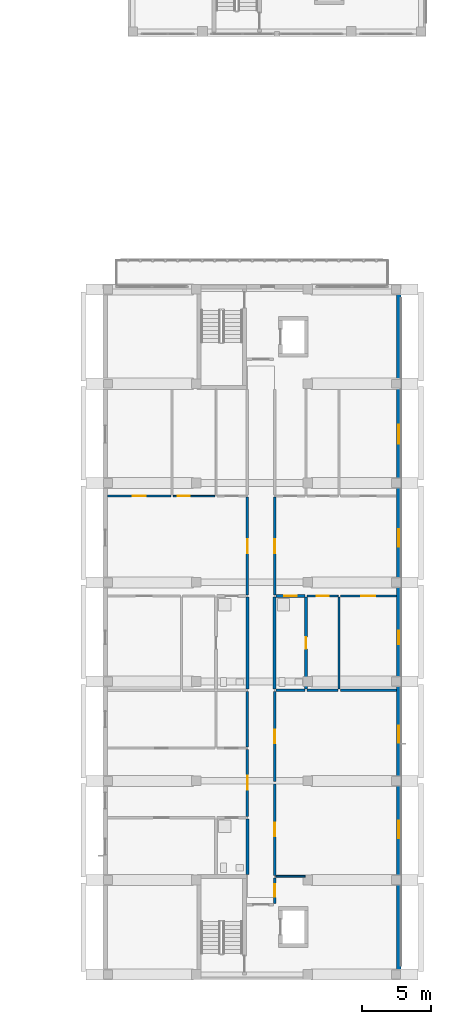
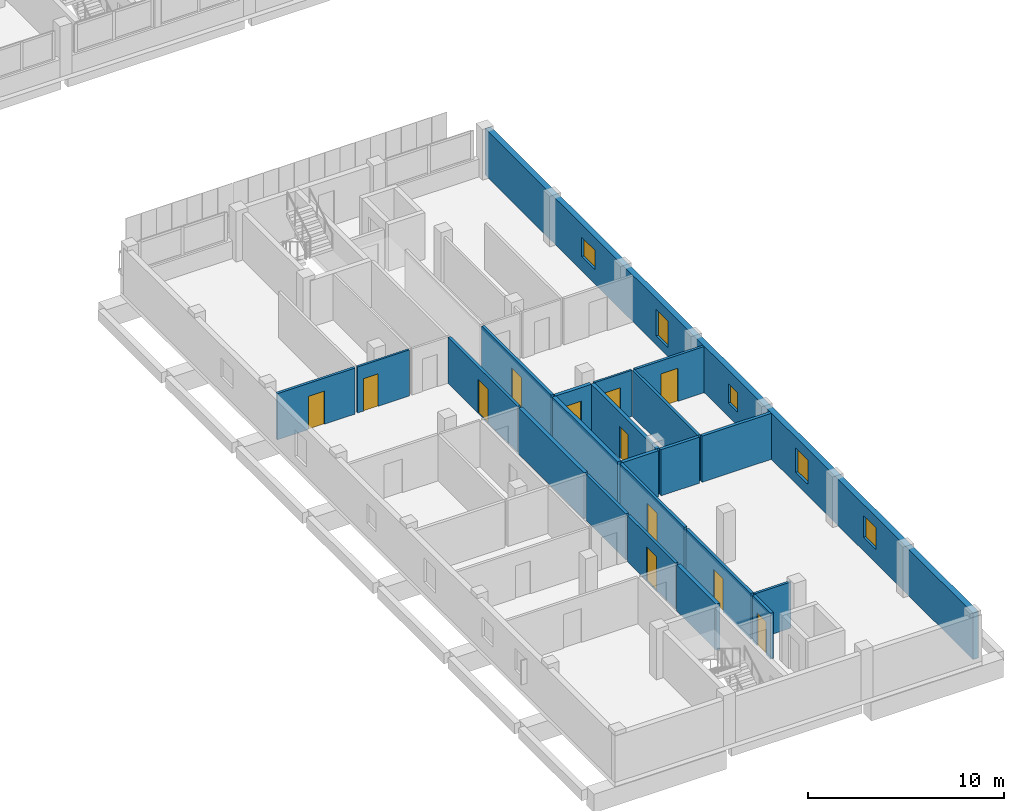
# One storey, part 32 of 51: 22 walls, 12 doors, 5 windows, 17 openings.
"""IFC4 building model written with IfcOpenShell, lengths in metres."""

from ifc_helpers import new_model, si_unit, derived_unit, direction, frame, frame_2d, origin, place, context, subcontext, project, spatial, rectangle, extrude, material, layer, layer_set, type_object, element, fill, save


model = new_model("IFC4")

# Units and contexts
model_context = context("Model", 3, precision=1e-05, world=origin(), true_north=direction((0.0, 1.0)))
body_context = subcontext(model_context, "Body", "Model", "MODEL_VIEW")
ifc_project = project(units=[si_unit("LENGTHUNIT", "METRE"), si_unit("AREAUNIT", "SQUARE_METRE"), si_unit("VOLUMEUNIT", "CUBIC_METRE"), si_unit("PLANEANGLEUNIT", "RADIAN"), si_unit("MASSUNIT", "GRAM", prefix="KILO"), derived_unit("THERMALTRANSMITTANCEUNIT", [(si_unit("MASSUNIT", "GRAM", prefix="KILO"), 1), (si_unit("TIMEUNIT", "SECOND"), -3), (si_unit("THERMODYNAMICTEMPERATUREUNIT", "KELVIN"), -1)])], contexts=[model_context])

# Site, building, storey
site_placement = place(None, origin())
site = spatial("IfcSite", under=ifc_project, at=site_placement, CompositionType="ELEMENT")
building_placement = place(site_placement, origin())
building = spatial("IfcBuilding", under=site, at=building_placement, Name="Ochrekiln Boulevard Commons", CompositionType="ELEMENT")
storey_placement = place(building_placement, frame((0.0, 0.0, 18.375)))
storey = spatial("IfcBuildingStorey", under=building, at=storey_placement, Name="L05", CompositionType="ELEMENT", Elevation=18.375)

# Wall, openings, windows
ifc_material_1 = material(Name="Desert ochre clinker brick masonry ASTM C216 Grade SW", Category="masonry")
ifc_layer_1 = layer(ifc_material_1, 0.330078125)
ifc_layer_set_1 = layer_set([ifc_layer_1], Name="Desert ochre clinker brick masonry ASTM C216 Grade SW")
wall_type_1 = type_object("IfcWallType", Name="WL-EXT-OCHRE-330", PredefinedType="SOLIDWALL", material=ifc_layer_set_1)
wall_1_placement = place(storey_placement, frame((170.8349609375, 0.330078125, 0.0), z_axis=(0.0, 0.0, 1.0), x_axis=(0.0, 1.0, 0.0)))
wall_1 = element("IfcWall", 1, at=wall_1_placement, inside=storey, type_object=wall_type_1, Name="Block C L05 E Exterior Wall", PredefinedType="SOLIDWALL", context=body_context, shape_type="SweptSolid", body=[
    extrude(rectangle(XDim=49.739990234375, YDim=0.330078125, at=frame_2d((24.8701171875, 0.0))), origin(), (0.0, 0.0, 1.0), 2.889892578125),
])
opening_1_placement = place(wall_1_placement, frame((9.909912109375, 0.0, 0.85498046875)))
opening_1 = element("IfcOpeningElement", 2, at=opening_1_placement, cuts=wall_1, Name="Opening W-17", PredefinedType="OPENING", context=body_context, shape_type="SweptSolid", body=[
    extrude(rectangle(XDim=1.25, YDim=1.35009765625, at=frame_2d((0.625, 0.675048828125))), frame((0.0, 0.175048828125, 0.0), z_axis=(0.0, -1.0, 0.0), x_axis=(1.0, 0.0, 0.0)), (0.0, 0.0, 1.0), 0.35009765625),
])
opening_2_placement = place(wall_1_placement, frame((16.822998046875, 0.0, 0.705078125)))
opening_2 = element("IfcOpeningElement", 3, at=opening_2_placement, cuts=wall_1, Name="Opening W-18", PredefinedType="OPENING", context=body_context, shape_type="SweptSolid", body=[
    extrude(rectangle(XDim=1.25, YDim=1.5, at=frame_2d((0.625, 0.75))), frame((0.0, 0.175048828125, 0.0), z_axis=(0.0, -1.0, 0.0), x_axis=(1.0, 0.0, 0.0)), (0.0, 0.0, 1.0), 0.35009765625),
])
opening_3_placement = place(wall_1_placement, frame((31.06494140625, 0.0, 0.554931640625)))
opening_3 = element("IfcOpeningElement", 4, at=opening_3_placement, cuts=wall_1, Name="Opening W-19", PredefinedType="OPENING", context=body_context, shape_type="SweptSolid", body=[
    extrude(rectangle(XDim=1.25, YDim=1.64990234375, at=frame_2d((0.625, 0.824951171875))), frame((0.0, 0.175048828125, 0.0), z_axis=(0.0, -1.0, 0.0), x_axis=(1.0, 0.0, 0.0)), (0.0, 0.0, 1.0), 0.35009765625),
])
opening_4_placement = place(wall_1_placement, frame((23.991943359375, 0.0, 0.85009765625)))
opening_4 = element("IfcOpeningElement", 5, at=opening_4_placement, cuts=wall_1, Name="Opening W-01", PredefinedType="OPENING", context=body_context, shape_type="SweptSolid", body=[
    extrude(rectangle(XDim=0.949951171875, YDim=1.199951171875, at=frame_2d((0.47509765625, 0.60009765625))), frame((0.0, 0.175048828125, 0.0), z_axis=(0.0, -1.0, 0.0), x_axis=(1.0, 0.0, 0.0)), (0.0, 0.0, 1.0), 0.35009765625),
])
opening_5_placement = place(wall_1_placement, frame((38.530029296875, 0.0, 0.89990234375)))
opening_5 = element("IfcOpeningElement", 6, at=opening_5_placement, cuts=wall_1, Name="Opening W-21", PredefinedType="OPENING", context=body_context, shape_type="SweptSolid", body=[
    extrude(rectangle(XDim=1.35009765625, YDim=1.199951171875, at=frame_2d((0.675048828125, 0.60009765625))), frame((0.0, 0.175048828125, 0.0), z_axis=(0.0, -1.0, 0.0), x_axis=(1.0, 0.0, 0.0)), (0.0, 0.0, 1.0), 0.35009765625),
])
ifc_material_2 = material(Name="Thermally broken aluminium-clad oak frame", Category="aluminium")
window_type_1 = type_object("IfcWindowType", Name="WIN-EXT-01", PartitioningType="SINGLE_PANEL", PredefinedType="WINDOW", material=ifc_material_2)
window_1_placement = place(opening_4_placement, origin())
window_1 = element("IfcWindow", 7, at=window_1_placement, inside=storey, type_object=window_type_1, Name="Block C L05 Punched Masonry Window W-01", OverallHeight=1.199951171875, OverallWidth=0.949951171875, PartitioningType="SINGLE_PANEL", PredefinedType="WINDOW", context=body_context, shape_type="SweptSolid", body=[
    extrude(rectangle(XDim=0.949951171875, YDim=1.199951171875, at=frame_2d((0.47509765625, 0.60009765625))), frame((0.0, 0.030029296875, 0.0), z_axis=(0.0, -1.0, 0.0), x_axis=(1.0, 0.0, 0.0)), (0.0, 0.0, 1.0), 0.06005859375),
])
fill(opening_4, window_1)
window_type_2 = type_object("IfcWindowType", Name="WIN-EXT-17", PartitioningType="SINGLE_PANEL", PredefinedType="WINDOW", material=ifc_material_2)
window_2_placement = place(opening_1_placement, origin())
window_2 = element("IfcWindow", 8, at=window_2_placement, inside=storey, type_object=window_type_2, Name="Block C L05 Punched Masonry Window W-17", OverallHeight=1.35009765625, OverallWidth=1.25, PartitioningType="SINGLE_PANEL", PredefinedType="WINDOW", context=body_context, shape_type="SweptSolid", body=[
    extrude(rectangle(XDim=1.25, YDim=1.35009765625, at=frame_2d((0.625, 0.675048828125))), frame((0.0, 0.030029296875, 0.0), z_axis=(0.0, -1.0, 0.0), x_axis=(1.0, 0.0, 0.0)), (0.0, 0.0, 1.0), 0.06005859375),
])
fill(opening_1, window_2)
window_type_3 = type_object("IfcWindowType", Name="WIN-EXT-18", PartitioningType="SINGLE_PANEL", PredefinedType="WINDOW", material=ifc_material_2)
window_3_placement = place(opening_2_placement, origin())
window_3 = element("IfcWindow", 9, at=window_3_placement, inside=storey, type_object=window_type_3, Name="Block C L05 Punched Masonry Window W-18", OverallHeight=1.5, OverallWidth=1.25, PartitioningType="SINGLE_PANEL", PredefinedType="WINDOW", context=body_context, shape_type="SweptSolid", body=[
    extrude(rectangle(XDim=1.25, YDim=1.5, at=frame_2d((0.625, 0.75))), frame((0.0, 0.030029296875, 0.0), z_axis=(0.0, -1.0, 0.0), x_axis=(1.0, 0.0, 0.0)), (0.0, 0.0, 1.0), 0.06005859375),
])
fill(opening_2, window_3)
window_type_4 = type_object("IfcWindowType", Name="WIN-EXT-19", PartitioningType="SINGLE_PANEL", PredefinedType="WINDOW", material=ifc_material_2)
window_4_placement = place(opening_3_placement, origin())
window_4 = element("IfcWindow", 10, at=window_4_placement, inside=storey, type_object=window_type_4, Name="Block C L05 Punched Masonry Window W-19", OverallHeight=1.64990234375, OverallWidth=1.25, PartitioningType="SINGLE_PANEL", PredefinedType="WINDOW", context=body_context, shape_type="SweptSolid", body=[
    extrude(rectangle(XDim=1.25, YDim=1.64990234375, at=frame_2d((0.625, 0.824951171875))), frame((0.0, 0.030029296875, 0.0), z_axis=(0.0, -1.0, 0.0), x_axis=(1.0, 0.0, 0.0)), (0.0, 0.0, 1.0), 0.06005859375),
])
fill(opening_3, window_4)
window_type_5 = type_object("IfcWindowType", Name="WIN-EXT-21", PartitioningType="SINGLE_PANEL", PredefinedType="WINDOW", material=ifc_material_2)
window_5_placement = place(opening_5_placement, origin())
window_5 = element("IfcWindow", 11, at=window_5_placement, inside=storey, type_object=window_type_5, Name="Block C L05 Punched Masonry Window W-21", OverallHeight=1.199951171875, OverallWidth=1.35009765625, PartitioningType="SINGLE_PANEL", PredefinedType="WINDOW", context=body_context, shape_type="SweptSolid", body=[
    extrude(rectangle(XDim=1.35009765625, YDim=1.199951171875, at=frame_2d((0.675048828125, 0.60009765625))), frame((0.0, 0.030029296875, 0.0), z_axis=(0.0, -1.0, 0.0), x_axis=(1.0, 0.0, 0.0)), (0.0, 0.0, 1.0), 0.06005859375),
])
fill(opening_5, window_5)

# Wall
ifc_material_3 = material(Name="Moisture-resistant cementitious tile backer wall")
ifc_layer_2 = layer(ifc_material_3, 0.199951171875)
ifc_layer_set_2 = layer_set([ifc_layer_2], Name="Moisture-resistant cementitious tile backer wall")
wall_type_2 = type_object("IfcWallType", Name="WL-PLM-200", PredefinedType="PLUMBINGWALL", material=ifc_layer_set_2)
wall_2_placement = place(storey_placement, frame((161.923095703125, 20.97607421875, 0.0), z_axis=(0.0, 0.0, 1.0), x_axis=(1.0, 0.0, 0.0)))
element("IfcWall", 12, at=wall_2_placement, inside=storey, type_object=wall_type_2, Name="L05 Interior Wall W-PW200", PredefinedType="PLUMBINGWALL", context=body_context, shape_type="SweptSolid", body=[
    extrude(rectangle(XDim=2.10693359375, YDim=0.199951171875, at=frame_2d((1.053466796875, 0.0))), origin(), (0.0, 0.0, 1.0), 2.8701171875),
])

# Wall, opening, door
wall_3_placement = place(storey_placement, frame((161.923095703125, 27.803955078125, 0.0), z_axis=(0.0, 0.0, 1.0), x_axis=(1.0, 0.0, 0.0)))
wall_3 = element("IfcWall", 13, at=wall_3_placement, inside=storey, type_object=wall_type_2, Name="L05 Interior Wall W-PW200", PredefinedType="PLUMBINGWALL", context=body_context, shape_type="SweptSolid", body=[
    extrude(rectangle(XDim=2.10693359375, YDim=0.199951171875, at=frame_2d((1.053466796875, 0.0))), origin(), (0.0, 0.0, 1.0), 2.8701171875),
])
opening_6_placement = place(wall_3_placement, frame((0.612060546875, 0.0, 0.0)))
opening_6 = element("IfcOpeningElement", 14, at=opening_6_placement, cuts=wall_3, Name="Opening D-L05-745", PredefinedType="OPENING", context=body_context, shape_type="SweptSolid", body=[
    extrude(rectangle(XDim=0.889892578125, YDim=2.030029296875, at=frame_2d((0.44482421875, 1.01513671875))), frame((0.0, 0.10986328125, 0.0), z_axis=(0.0, -1.0, 0.0), x_axis=(1.0, 0.0, 0.0)), (0.0, 0.0, 1.0), 0.219970703125),
])
ifc_material_4 = material(Name="Solid core architectural oak door leaf")
door_type_1 = type_object("IfcDoorType", Name="DR-INT-BTH-089", OperationType="NOTDEFINED", PredefinedType="DOOR", material=ifc_material_4)
door_1_placement = place(opening_6_placement, frame((0.889892578125, 0.0, 0.0), z_axis=(0.0, 0.0, 1.0), x_axis=(-1.0, 0.0, 0.0)))
door_1 = element("IfcDoor", 15, at=door_1_placement, inside=storey, type_object=door_type_1, Name="L05 Interior Door to Apartment Bathroom", OperationType="SINGLE_SWING_LEFT", OverallHeight=2.030029296875, OverallWidth=0.889892578125, PredefinedType="DOOR", context=body_context, shape_type="SweptSolid", body=[
    extrude(rectangle(XDim=0.889892578125, YDim=2.030029296875, at=frame_2d((0.44482421875, 1.01513671875))), frame((0.0, 0.02490234375, 0.0), z_axis=(0.0, -1.0, 0.0), x_axis=(1.0, 0.0, 0.0)), (0.0, 0.0, 1.0), 0.050048828125),
])
fill(opening_6, door_1)

wall_4_placement = place(storey_placement, frame((164.110107421875, 21.06591796875, 0.0), z_axis=(0.0, 0.0, 1.0), x_axis=(0.0, 1.0, 0.0)))
wall_4 = element("IfcWall", 16, at=wall_4_placement, inside=storey, type_object=wall_type_2, Name="L05 Interior Wall W-PW200", PredefinedType="PLUMBINGWALL", context=body_context, shape_type="SweptSolid", body=[
    extrude(rectangle(XDim=6.677978515625, YDim=0.199951171875, at=frame_2d((3.3388671875, 0.0))), origin(), (0.0, 0.0, 1.0), 2.8701171875),
])
opening_7_placement = place(wall_4_placement, frame((2.904052734375, 0.0, 0.0)))
opening_7 = element("IfcOpeningElement", 17, at=opening_7_placement, cuts=wall_4, Name="Opening D-L05-751", PredefinedType="OPENING", context=body_context, shape_type="SweptSolid", body=[
    extrude(rectangle(XDim=0.85009765625, YDim=2.010009765625, at=frame_2d((0.425048828125, 1.0048828125))), frame((0.0, 0.10986328125, 0.0), z_axis=(0.0, -1.0, 0.0), x_axis=(1.0, 0.0, 0.0)), (0.0, 0.0, 1.0), 0.219970703125),
])
door_type_2 = type_object("IfcDoorType", Name="DR-INT-KIT-085", OperationType="NOTDEFINED", PredefinedType="DOOR", material=ifc_material_4)
door_2_placement = place(opening_7_placement, origin())
door_2 = element("IfcDoor", 18, at=door_2_placement, inside=storey, type_object=door_type_2, Name="L05 Interior Door to Apartment Bathroom", OperationType="SINGLE_SWING_LEFT", OverallHeight=2.010009765625, OverallWidth=0.85009765625, PredefinedType="DOOR", context=body_context, shape_type="SweptSolid", body=[
    extrude(rectangle(XDim=0.85009765625, YDim=2.010009765625, at=frame_2d((0.425048828125, 1.0048828125))), frame((0.0, 0.02490234375, 0.0), z_axis=(0.0, -1.0, 0.0), x_axis=(1.0, 0.0, 0.0)), (0.0, 0.0, 1.0), 0.050048828125),
])
fill(opening_7, door_2)

# Walls
ifc_layer_3 = layer(ifc_material_3, 0.219970703125)
ifc_layer_set_3 = layer_set([ifc_layer_3], Name="Moisture-resistant cementitious tile backer wall")
wall_type_3 = type_object("IfcWallType", Name="WL-PLM-220", PredefinedType="PLUMBINGWALL", material=ifc_layer_set_3)
wall_5_placement = place(storey_placement, frame((159.860107421875, 7.60009765625, 0.0), z_axis=(0.0, 0.0, 1.0), x_axis=(0.0, 1.0, 0.0)))
element("IfcWall", 19, at=wall_5_placement, inside=storey, type_object=wall_type_3, Name="L05 Interior Wall W-PW220", PredefinedType="PLUMBINGWALL", context=body_context, shape_type="SweptSolid", body=[
    extrude(rectangle(XDim=4.038818359375, YDim=0.219970703125, at=frame_2d((2.01953125, 0.0))), origin(), (0.0, 0.0, 1.0), 2.8701171875),
])
for number, where, z_axis, x_axis, name in (
    (20, (159.860107421875, 21.06591796875, 0.0), (0.0, 0.0, 1.0), (0.0, 1.0, 0.0), "L05 Interior Wall W-PW220"),
    (21, (161.840087890625, 21.06591796875, 0.0), (0.0, 0.0, 1.0), (0.0, 1.0, 0.0), "L05 Interior Wall W-PW220"),
):
    element("IfcWall", number, at=place(storey_placement, frame(where, z_axis=z_axis, x_axis=x_axis)), inside=storey, type_object=wall_type_3, Name=name, PredefinedType="PLUMBINGWALL", context=body_context, shape_type="SweptSolid", body=[
        extrude(rectangle(XDim=6.658203125, YDim=0.219970703125, at=frame_2d((3.3291015625, 0.0))), origin(), (0.0, 0.0, 1.0), 2.8701171875),
    ])
ifc_material_5 = material(Name="Fire-rated Type X gypsum board on steel studs", Category="steel")
ifc_layer_4 = layer(ifc_material_5, 0.139892578125)
ifc_layer_set_4 = layer_set([ifc_layer_4], Name="Fire-rated Type X gypsum board on steel studs")
wall_type_4 = type_object("IfcWallType", Name="WL-PT-ACO-140", PredefinedType="PARTITIONING", material=ifc_layer_set_4)
wall_6_placement = place(storey_placement, frame((161.923095703125, 7.47509765625, 0.0), z_axis=(0.0, 0.0, 1.0), x_axis=(1.0, 0.0, 0.0)))
element("IfcWall", 22, at=wall_6_placement, inside=storey, type_object=wall_type_4, Name="L05 Interior Wall W-PA140", PredefinedType="PARTITIONING", context=body_context, shape_type="SweptSolid", body=[
    extrude(rectangle(XDim=2.126953125, YDim=0.139892578125, at=frame_2d((1.0634765625, 0.0))), origin(), (0.0, 0.0, 1.0), 2.8701171875),
])

# Wall, opening, door
ifc_layer_5 = layer(ifc_material_5, 0.1650390625)
ifc_layer_set_5 = layer_set([ifc_layer_5], Name="Fire-rated Type X gypsum board on steel studs")
wall_type_5 = type_object("IfcWallType", Name="WL-PT-CORR-165", PredefinedType="PARTITIONING", material=ifc_layer_set_5)
wall_7_placement = place(storey_placement, frame((161.840087890625, 5.514892578125, 0.0), z_axis=(0.0, 0.0, 1.0), x_axis=(0.0, 1.0, 0.0)))
wall_7 = element("IfcWall", 23, at=wall_7_placement, inside=storey, type_object=wall_type_5, Name="L05 Interior Wall W-PC165", PredefinedType="PARTITIONING", context=body_context, shape_type="SweptSolid", body=[
    extrude(rectangle(XDim=1.835205078125, YDim=0.1650390625, at=frame_2d((0.91748046875, 0.0))), origin(), (0.0, 0.0, 1.0), 2.8701171875),
])
opening_8_placement = place(wall_7_placement, frame((0.47509765625, 0.0, 0.0)))
opening_8 = element("IfcOpeningElement", 24, at=opening_8_placement, cuts=wall_7, Name="Opening D-L05-729", PredefinedType="OPENING", context=body_context, shape_type="SweptSolid", body=[
    extrude(rectangle(XDim=0.919921875, YDim=2.0400390625, at=frame_2d((0.4599609375, 1.02001953125))), frame((0.0, 0.092529296875, 0.0), z_axis=(0.0, -1.0, 0.0), x_axis=(1.0, 0.0, 0.0)), (0.0, 0.0, 1.0), 0.18505859375),
])
ifc_material_6 = material(Name="Hollow metal fire-rated steel door assembly", Category="steel")
door_type_3 = type_object("IfcDoorType", Name="DR-SRV-90", OperationType="NOTDEFINED", PredefinedType="DOOR", material=ifc_material_6)
door_3_placement = place(opening_8_placement, frame((0.919921875, 0.0, 0.0), z_axis=(0.0, 0.0, 1.0), x_axis=(-1.0, 0.0, 0.0)))
door_3 = element("IfcDoor", 25, at=door_3_placement, inside=storey, type_object=door_type_3, Name="L05 Interior Door to Hydronic and Electrical Riser Room", OperationType="SINGLE_SWING_LEFT", OverallHeight=2.0400390625, OverallWidth=0.919921875, PredefinedType="DOOR", context=body_context, shape_type="SweptSolid", body=[
    extrude(rectangle(XDim=0.919921875, YDim=2.0400390625, at=frame_2d((0.4599609375, 1.02001953125))), frame((0.0, 0.02490234375, 0.0), z_axis=(0.0, -1.0, 0.0), x_axis=(1.0, 0.0, 0.0)), (0.0, 0.0, 1.0), 0.050048828125),
])
fill(opening_8, door_3)

wall_8_placement = place(storey_placement, frame((159.860107421875, 11.799072265625, 0.0), z_axis=(0.0, 0.0, 1.0), x_axis=(0.0, 1.0, 0.0)))
wall_8 = element("IfcWall", 26, at=wall_8_placement, inside=storey, type_object=wall_type_5, Name="L05 Interior Wall W-PC165", PredefinedType="PARTITIONING", context=body_context, shape_type="SweptSolid", body=[
    extrude(rectangle(XDim=4.887939453125, YDim=0.1650390625, at=frame_2d((2.44384765625, 0.0))), origin(), (0.0, 0.0, 1.0), 2.8701171875),
])
opening_9_placement = place(wall_8_placement, frame((1.93896484375, 0.0, 0.0)))
opening_9 = element("IfcOpeningElement", 27, at=opening_9_placement, cuts=wall_8, Name="Opening D-L05-730", PredefinedType="OPENING", context=body_context, shape_type="SweptSolid", body=[
    extrude(rectangle(XDim=1.010009765625, YDim=2.110107421875, at=frame_2d((0.5048828125, 1.05517578125))), frame((0.0, 0.092529296875, 0.0), z_axis=(0.0, -1.0, 0.0), x_axis=(1.0, 0.0, 0.0)), (0.0, 0.0, 1.0), 0.18505859375),
])
door_type_4 = type_object("IfcDoorType", Name="DR-INT-APT-101", OperationType="NOTDEFINED", PredefinedType="DOOR", material=ifc_material_4)
door_4_placement = place(opening_9_placement, origin())
door_4 = element("IfcDoor", 28, at=door_4_placement, inside=storey, type_object=door_type_4, Name="L05 Interior Door to Two-Bedroom Apartment Living Room", OperationType="SINGLE_SWING_RIGHT", OverallHeight=2.110107421875, OverallWidth=1.010009765625, PredefinedType="DOOR", context=body_context, shape_type="SweptSolid", body=[
    extrude(rectangle(XDim=1.010009765625, YDim=2.110107421875, at=frame_2d((0.5048828125, 1.05517578125))), frame((0.0, 0.02490234375, 0.0), z_axis=(0.0, -1.0, 0.0), x_axis=(1.0, 0.0, 0.0)), (0.0, 0.0, 1.0), 0.050048828125),
])
fill(opening_9, door_4)

# Wall
wall_9_placement = place(storey_placement, frame((159.860107421875, 16.846923828125, 0.0), z_axis=(0.0, 0.0, 1.0), x_axis=(0.0, 1.0, 0.0)))
element("IfcWall", 29, at=wall_9_placement, inside=storey, type_object=wall_type_5, Name="L05 Interior Wall W-PC165", PredefinedType="PARTITIONING", context=body_context, shape_type="SweptSolid", body=[
    extrude(rectangle(XDim=4.0390625, YDim=0.1650390625, at=frame_2d((2.01953125, 0.0))), origin(), (0.0, 0.0, 1.0), 2.8701171875),
])

# Wall, opening, door
wall_10_placement = place(storey_placement, frame((159.860107421875, 27.884033203125, 0.0), z_axis=(0.0, 0.0, 1.0), x_axis=(0.0, 1.0, 0.0)))
wall_10 = element("IfcWall", 30, at=wall_10_placement, inside=storey, type_object=wall_type_5, Name="L05 Interior Wall W-PC165", PredefinedType="PARTITIONING", context=body_context, shape_type="SweptSolid", body=[
    extrude(rectangle(XDim=7.0859375, YDim=0.1650390625, at=frame_2d((3.54296875, 0.0))), origin(), (0.0, 0.0, 1.0), 2.8701171875),
])
opening_10_placement = place(wall_10_placement, frame((3.0380859375, 0.0, 0.0)))
opening_10 = element("IfcOpeningElement", 31, at=opening_10_placement, cuts=wall_10, Name="Opening D-L05-731", PredefinedType="OPENING", context=body_context, shape_type="SweptSolid", body=[
    extrude(rectangle(XDim=1.010009765625, YDim=2.110107421875, at=frame_2d((0.5048828125, 1.05517578125))), frame((0.0, 0.092529296875, 0.0), z_axis=(0.0, -1.0, 0.0), x_axis=(1.0, 0.0, 0.0)), (0.0, 0.0, 1.0), 0.18505859375),
])
door_5_placement = place(opening_10_placement, origin())
door_5 = element("IfcDoor", 32, at=door_5_placement, inside=storey, type_object=door_type_4, Name="L05 Interior Door to Two-Bedroom Apartment Living Room", OperationType="SINGLE_SWING_LEFT", OverallHeight=2.110107421875, OverallWidth=1.010009765625, PredefinedType="DOOR", context=body_context, shape_type="SweptSolid", body=[
    extrude(rectangle(XDim=1.010009765625, YDim=2.110107421875, at=frame_2d((0.5048828125, 1.05517578125))), frame((0.0, 0.02490234375, 0.0), z_axis=(0.0, -1.0, 0.0), x_axis=(1.0, 0.0, 0.0)), (0.0, 0.0, 1.0), 0.050048828125),
])
fill(opening_10, door_5)

wall_11_placement = place(storey_placement, frame((161.840087890625, 7.544921875, 0.0), z_axis=(0.0, 0.0, 1.0), x_axis=(0.0, 1.0, 0.0)))
wall_11 = element("IfcWall", 33, at=wall_11_placement, inside=storey, type_object=wall_type_5, Name="L05 Interior Wall W-PC165", PredefinedType="PARTITIONING", context=body_context, shape_type="SweptSolid", body=[
    extrude(rectangle(XDim=6.608154296875, YDim=0.1650390625, at=frame_2d((3.30419921875, 0.0))), origin(), (0.0, 0.0, 1.0), 2.8701171875),
])
opening_11_placement = place(wall_11_placement, frame((2.841064453125, 0.0, 0.0)))
opening_11 = element("IfcOpeningElement", 34, at=opening_11_placement, cuts=wall_11, Name="Opening D-L05-732", PredefinedType="OPENING", context=body_context, shape_type="SweptSolid", body=[
    extrude(rectangle(XDim=0.97998046875, YDim=2.080078125, at=frame_2d((0.489990234375, 1.0400390625))), frame((0.0, 0.092529296875, 0.0), z_axis=(0.0, -1.0, 0.0), x_axis=(1.0, 0.0, 0.0)), (0.0, 0.0, 1.0), 0.18505859375),
])
door_type_5 = type_object("IfcDoorType", Name="DR-APT-60", OperationType="NOTDEFINED", PredefinedType="DOOR", material=ifc_material_4)
door_6_placement = place(opening_11_placement, frame((0.97998046875, 0.0, 0.0), z_axis=(0.0, 0.0, 1.0), x_axis=(-1.0, 0.0, 0.0)))
door_6 = element("IfcDoor", 35, at=door_6_placement, inside=storey, type_object=door_type_5, Name="L05 Interior Door to Resident Study Lounge", OperationType="SINGLE_SWING_RIGHT", OverallHeight=2.080078125, OverallWidth=0.97998046875, PredefinedType="DOOR", context=body_context, shape_type="SweptSolid", body=[
    extrude(rectangle(XDim=0.97998046875, YDim=2.080078125, at=frame_2d((0.489990234375, 1.0400390625))), frame((0.0, 0.02490234375, 0.0), z_axis=(0.0, -1.0, 0.0), x_axis=(1.0, 0.0, 0.0)), (0.0, 0.0, 1.0), 0.050048828125),
])
fill(opening_11, door_6)

wall_12_placement = place(storey_placement, frame((161.840087890625, 14.3330078125, 0.0), z_axis=(0.0, 0.0, 1.0), x_axis=(0.0, 1.0, 0.0)))
wall_12 = element("IfcWall", 36, at=wall_12_placement, inside=storey, type_object=wall_type_5, Name="L05 Interior Wall W-PC165", PredefinedType="PARTITIONING", context=body_context, shape_type="SweptSolid", body=[
    extrude(rectangle(XDim=6.552978515625, YDim=0.1650390625, at=frame_2d((3.2763671875, 0.0))), origin(), (0.0, 0.0, 1.0), 2.8701171875),
])
opening_12_placement = place(wall_12_placement, frame((2.787109375, 0.0, 0.0)))
opening_12 = element("IfcOpeningElement", 37, at=opening_12_placement, cuts=wall_12, Name="Opening D-L05-733", PredefinedType="OPENING", context=body_context, shape_type="SweptSolid", body=[
    extrude(rectangle(XDim=0.97998046875, YDim=2.080078125, at=frame_2d((0.489990234375, 1.0400390625))), frame((0.0, 0.092529296875, 0.0), z_axis=(0.0, -1.0, 0.0), x_axis=(1.0, 0.0, 0.0)), (0.0, 0.0, 1.0), 0.18505859375),
])
door_7_placement = place(opening_12_placement, frame((0.97998046875, 0.0, 0.0), z_axis=(0.0, 0.0, 1.0), x_axis=(-1.0, 0.0, 0.0)))
door_7 = element("IfcDoor", 38, at=door_7_placement, inside=storey, type_object=door_type_5, Name="L05 Interior Door to Resident Reading Library", OperationType="SINGLE_SWING_LEFT", OverallHeight=2.080078125, OverallWidth=0.97998046875, PredefinedType="DOOR", context=body_context, shape_type="SweptSolid", body=[
    extrude(rectangle(XDim=0.97998046875, YDim=2.080078125, at=frame_2d((0.489990234375, 1.0400390625))), frame((0.0, 0.02490234375, 0.0), z_axis=(0.0, -1.0, 0.0), x_axis=(1.0, 0.0, 0.0)), (0.0, 0.0, 1.0), 0.050048828125),
])
fill(opening_12, door_7)

wall_13_placement = place(storey_placement, frame((161.840087890625, 27.884033203125, 0.0), z_axis=(0.0, 0.0, 1.0), x_axis=(0.0, 1.0, 0.0)))
wall_13 = element("IfcWall", 39, at=wall_13_placement, inside=storey, type_object=wall_type_5, Name="L05 Interior Wall W-PC165", PredefinedType="PARTITIONING", context=body_context, shape_type="SweptSolid", body=[
    extrude(rectangle(XDim=7.0859375, YDim=0.1650390625, at=frame_2d((3.54296875, 0.0))), origin(), (0.0, 0.0, 1.0), 2.8701171875),
])
opening_13_placement = place(wall_13_placement, frame((3.0380859375, 0.0, 0.0)))
opening_13 = element("IfcOpeningElement", 40, at=opening_13_placement, cuts=wall_13, Name="Opening D-L05-734", PredefinedType="OPENING", context=body_context, shape_type="SweptSolid", body=[
    extrude(rectangle(XDim=1.010009765625, YDim=2.110107421875, at=frame_2d((0.5048828125, 1.05517578125))), frame((0.0, 0.092529296875, 0.0), z_axis=(0.0, -1.0, 0.0), x_axis=(1.0, 0.0, 0.0)), (0.0, 0.0, 1.0), 0.18505859375),
])
door_8_placement = place(opening_13_placement, frame((1.010009765625, 0.0, 0.0), z_axis=(0.0, 0.0, 1.0), x_axis=(-1.0, 0.0, 0.0)))
door_8 = element("IfcDoor", 41, at=door_8_placement, inside=storey, type_object=door_type_4, Name="L05 Interior Door to Two-Bedroom Apartment Living Room", OperationType="SINGLE_SWING_RIGHT", OverallHeight=2.110107421875, OverallWidth=1.010009765625, PredefinedType="DOOR", context=body_context, shape_type="SweptSolid", body=[
    extrude(rectangle(XDim=1.010009765625, YDim=2.110107421875, at=frame_2d((0.5048828125, 1.05517578125))), frame((0.0, 0.02490234375, 0.0), z_axis=(0.0, -1.0, 0.0), x_axis=(1.0, 0.0, 0.0)), (0.0, 0.0, 1.0), 0.050048828125),
])
fill(opening_13, door_8)

# Walls
ifc_layer_6 = layer(ifc_material_5, 0.179931640625)
ifc_layer_set_6 = layer_set([ifc_layer_6], Name="Fire-rated Type X gypsum board on steel studs")
wall_type_6 = type_object("IfcWallType", Name="WL-PT-DEM-180", PredefinedType="PARTITIONING", material=ifc_layer_set_6)
wall_14_placement = place(storey_placement, frame((166.60009765625, 20.97607421875, 0.0), z_axis=(0.0, 0.0, 1.0), x_axis=(1.0, 0.0, 0.0)))
element("IfcWall", 42, at=wall_14_placement, inside=storey, type_object=wall_type_6, Name="L05 Interior Wall W-PD180", PredefinedType="PARTITIONING", context=body_context, shape_type="SweptSolid", body=[
    extrude(rectangle(XDim=4.06982421875, YDim=0.179931640625, at=frame_2d((2.034912109375, 0.0))), origin(), (0.0, 0.0, 1.0), 2.8701171875),
])
wall_15_placement = place(storey_placement, frame((164.18994140625, 20.97607421875, 0.0), z_axis=(0.0, 0.0, 1.0), x_axis=(1.0, 0.0, 0.0)))
element("IfcWall", 43, at=wall_15_placement, inside=storey, type_object=wall_type_6, Name="L05 Interior Wall W-PD180", PredefinedType="PARTITIONING", context=body_context, shape_type="SweptSolid", body=[
    extrude(rectangle(XDim=2.25, YDim=0.179931640625, at=frame_2d((1.125, 0.0))), origin(), (0.0, 0.0, 1.0), 2.8701171875),
])

# Wall, opening, door
ifc_layer_7 = layer(ifc_material_5, 0.1201171875)
ifc_layer_set_7 = layer_set([ifc_layer_7], Name="Fire-rated Type X gypsum board on steel studs")
wall_type_7 = type_object("IfcWallType", Name="WL-PT-LGT-120", PredefinedType="PARTITIONING", material=ifc_layer_set_7)
wall_16_placement = place(storey_placement, frame((154.472900390625, 35.050048828125, 0.0), z_axis=(0.0, 0.0, 1.0), x_axis=(1.0, 0.0, 0.0)))
wall_16 = element("IfcWall", 44, at=wall_16_placement, inside=storey, type_object=wall_type_7, Name="L05 Interior Wall W-PL120", PredefinedType="PARTITIONING", context=body_context, shape_type="SweptSolid", body=[
    extrude(rectangle(XDim=3.037109375, YDim=0.1201171875, at=frame_2d((1.5185546875, 0.0))), origin(), (0.0, 0.0, 1.0), 2.8701171875),
])
opening_14_placement = place(wall_16_placement, frame((0.327880859375, 0.0, 0.0)))
opening_14 = element("IfcOpeningElement", 45, at=opening_14_placement, cuts=wall_16, Name="Opening D-L05-743", PredefinedType="OPENING", context=body_context, shape_type="SweptSolid", body=[
    extrude(rectangle(XDim=0.8798828125, YDim=2.02001953125, at=frame_2d((0.43994140625, 1.010009765625))), frame((0.0, 0.070068359375, 0.0), z_axis=(0.0, -1.0, 0.0), x_axis=(1.0, 0.0, 0.0)), (0.0, 0.0, 1.0), 0.14013671875),
])
door_type_6 = type_object("IfcDoorType", Name="DR-INT-KIT-088", OperationType="NOTDEFINED", PredefinedType="DOOR", material=ifc_material_4)
door_9_placement = place(opening_14_placement, origin())
door_9 = element("IfcDoor", 46, at=door_9_placement, inside=storey, type_object=door_type_6, Name="L05 Interior Door to Apartment Walk-In Wardrobe", OperationType="SINGLE_SWING_LEFT", OverallHeight=2.02001953125, OverallWidth=0.8798828125, PredefinedType="DOOR", context=body_context, shape_type="SweptSolid", body=[
    extrude(rectangle(XDim=0.8798828125, YDim=2.02001953125, at=frame_2d((0.43994140625, 1.010009765625))), frame((0.0, 0.02490234375, 0.0), z_axis=(0.0, -1.0, 0.0), x_axis=(1.0, 0.0, 0.0)), (0.0, 0.0, 1.0), 0.050048828125),
])
fill(opening_14, door_9)

wall_17_placement = place(storey_placement, frame((164.18994140625, 27.803955078125, 0.0), z_axis=(0.0, 0.0, 1.0), x_axis=(1.0, 0.0, 0.0)))
wall_17 = element("IfcWall", 47, at=wall_17_placement, inside=storey, type_object=wall_type_7, Name="L05 Interior Wall W-PL120", PredefinedType="PARTITIONING", context=body_context, shape_type="SweptSolid", body=[
    extrude(rectangle(XDim=2.25, YDim=0.1201171875, at=frame_2d((1.125, 0.0))), origin(), (0.0, 0.0, 1.0), 2.8701171875),
])
opening_15_placement = place(wall_17_placement, frame((0.68505859375, 0.0, 0.0)))
opening_15 = element("IfcOpeningElement", 48, at=opening_15_placement, cuts=wall_17, Name="Opening D-L05-748", PredefinedType="OPENING", context=body_context, shape_type="SweptSolid", body=[
    extrude(rectangle(XDim=0.8798828125, YDim=2.02001953125, at=frame_2d((0.43994140625, 1.010009765625))), frame((0.0, 0.070068359375, 0.0), z_axis=(0.0, -1.0, 0.0), x_axis=(1.0, 0.0, 0.0)), (0.0, 0.0, 1.0), 0.14013671875),
])
door_10_placement = place(opening_15_placement, frame((0.8798828125, 0.0, 0.0), z_axis=(0.0, 0.0, 1.0), x_axis=(-1.0, 0.0, 0.0)))
door_10 = element("IfcDoor", 49, at=door_10_placement, inside=storey, type_object=door_type_6, Name="L05 Interior Door to Apartment Walk-In Wardrobe", OperationType="SINGLE_SWING_RIGHT", OverallHeight=2.02001953125, OverallWidth=0.8798828125, PredefinedType="DOOR", context=body_context, shape_type="SweptSolid", body=[
    extrude(rectangle(XDim=0.8798828125, YDim=2.02001953125, at=frame_2d((0.43994140625, 1.010009765625))), frame((0.0, 0.02490234375, 0.0), z_axis=(0.0, -1.0, 0.0), x_axis=(1.0, 0.0, 0.0)), (0.0, 0.0, 1.0), 0.050048828125),
])
fill(opening_15, door_10)

ifc_layer_8 = layer(ifc_material_5, 0.14990234375)
ifc_layer_set_8 = layer_set([ifc_layer_8], Name="Fire-rated Type X gypsum board on steel studs")
wall_type_8 = type_object("IfcWallType", Name="WL-PT-STD-150", PredefinedType="PARTITIONING", material=ifc_layer_set_8)
wall_18_placement = place(storey_placement, frame((149.72998046875, 35.050048828125, 0.0), z_axis=(0.0, 0.0, 1.0), x_axis=(1.0, 0.0, 0.0)))
wall_18 = element("IfcWall", 50, at=wall_18_placement, inside=storey, type_object=wall_type_8, Name="L05 Interior Wall W-PS150", PredefinedType="PARTITIONING", context=body_context, shape_type="SweptSolid", body=[
    extrude(rectangle(XDim=4.5830078125, YDim=0.14990234375, at=frame_2d((2.29150390625, 0.0))), origin(), (0.0, 0.0, 1.0), 2.8701171875),
])
opening_16_placement = place(wall_18_placement, frame((1.83203125, 0.0, 0.0)))
opening_16 = element("IfcOpeningElement", 51, at=opening_16_placement, cuts=wall_18, Name="Opening D-L05-742", PredefinedType="OPENING", context=body_context, shape_type="SweptSolid", body=[
    extrude(rectangle(XDim=0.93994140625, YDim=2.06005859375, at=frame_2d((0.469970703125, 1.030029296875))), frame((0.0, 0.0849609375, 0.0), z_axis=(0.0, -1.0, 0.0), x_axis=(1.0, 0.0, 0.0)), (0.0, 0.0, 1.0), 0.169921875),
])
door_type_7 = type_object("IfcDoorType", Name="DR-INT-BED-094", OperationType="NOTDEFINED", PredefinedType="DOOR", material=ifc_material_4)
door_11_placement = place(opening_16_placement, origin())
door_11 = element("IfcDoor", 52, at=door_11_placement, inside=storey, type_object=door_type_7, Name="L05 Interior Door to Secondary Apartment Bedroom", OperationType="SINGLE_SWING_RIGHT", OverallHeight=2.06005859375, OverallWidth=0.93994140625, PredefinedType="DOOR", context=body_context, shape_type="SweptSolid", body=[
    extrude(rectangle(XDim=0.93994140625, YDim=2.06005859375, at=frame_2d((0.469970703125, 1.030029296875))), frame((0.0, 0.02490234375, 0.0), z_axis=(0.0, -1.0, 0.0), x_axis=(1.0, 0.0, 0.0)), (0.0, 0.0, 1.0), 0.050048828125),
])
fill(opening_16, door_11)

wall_19_placement = place(storey_placement, frame((166.60009765625, 27.803955078125, 0.0), z_axis=(0.0, 0.0, 1.0), x_axis=(1.0, 0.0, 0.0)))
wall_19 = element("IfcWall", 53, at=wall_19_placement, inside=storey, type_object=wall_type_8, Name="L05 Interior Wall W-PS150", PredefinedType="PARTITIONING", context=body_context, shape_type="SweptSolid", body=[
    extrude(rectangle(XDim=4.06982421875, YDim=0.14990234375, at=frame_2d((2.034912109375, 0.0))), origin(), (0.0, 0.0, 1.0), 2.8701171875),
])
opening_17_placement = place(wall_19_placement, frame((1.52490234375, 0.0, 0.0)))
opening_17 = element("IfcOpeningElement", 54, at=opening_17_placement, cuts=wall_19, Name="Opening D-L05-747", PredefinedType="OPENING", context=body_context, shape_type="SweptSolid", body=[
    extrude(rectangle(XDim=1.0, YDim=2.06005859375, at=frame_2d((0.5, 1.030029296875))), frame((0.0, 0.0849609375, 0.0), z_axis=(0.0, -1.0, 0.0), x_axis=(1.0, 0.0, 0.0)), (0.0, 0.0, 1.0), 0.169921875),
])
door_type_8 = type_object("IfcDoorType", Name="DR-INT-BED-100", OperationType="NOTDEFINED", PredefinedType="DOOR", material=ifc_material_4)
door_12_placement = place(opening_17_placement, frame((1.0, 0.0, 0.0), z_axis=(0.0, 0.0, 1.0), x_axis=(-1.0, 0.0, 0.0)))
door_12 = element("IfcDoor", 55, at=door_12_placement, inside=storey, type_object=door_type_8, Name="L05 Interior Door to Primary Apartment Bedroom", OperationType="SINGLE_SWING_LEFT", OverallHeight=2.06005859375, OverallWidth=1.0, PredefinedType="DOOR", context=body_context, shape_type="SweptSolid", body=[
    extrude(rectangle(XDim=1.0, YDim=2.06005859375, at=frame_2d((0.5, 1.030029296875))), frame((0.0, 0.02490234375, 0.0), z_axis=(0.0, -1.0, 0.0), x_axis=(1.0, 0.0, 0.0)), (0.0, 0.0, 1.0), 0.050048828125),
])
fill(opening_17, door_12)

# Wall
wall_20_placement = place(storey_placement, frame((166.52001953125, 21.06591796875, 0.0), z_axis=(0.0, 0.0, 1.0), x_axis=(0.0, 1.0, 0.0)))
element("IfcWall", 56, at=wall_20_placement, inside=storey, type_object=wall_type_8, Name="L05 Interior Wall W-PS150", PredefinedType="PARTITIONING", context=body_context, shape_type="SweptSolid", body=[
    extrude(rectangle(XDim=6.677978515625, YDim=0.14990234375, at=frame_2d((3.3388671875, 0.0))), origin(), (0.0, 0.0, 1.0), 2.8701171875),
])

save(model, "model.ifc")
